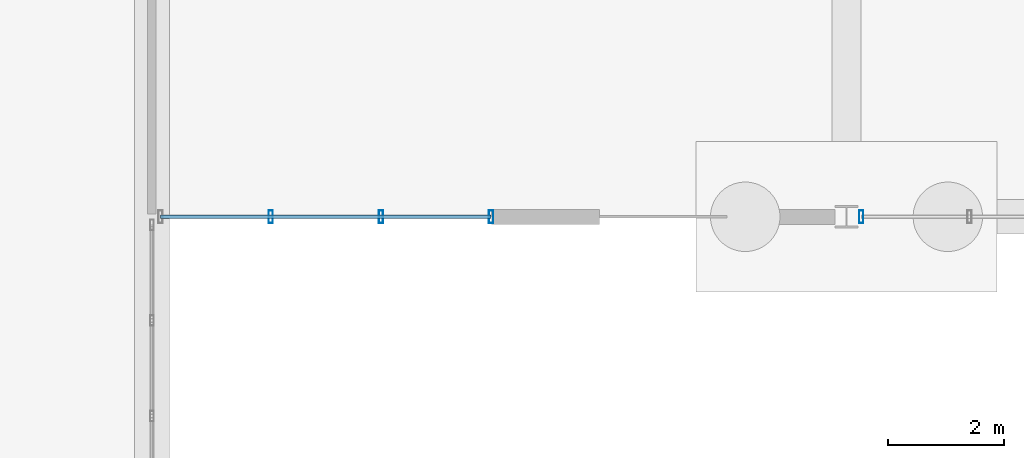
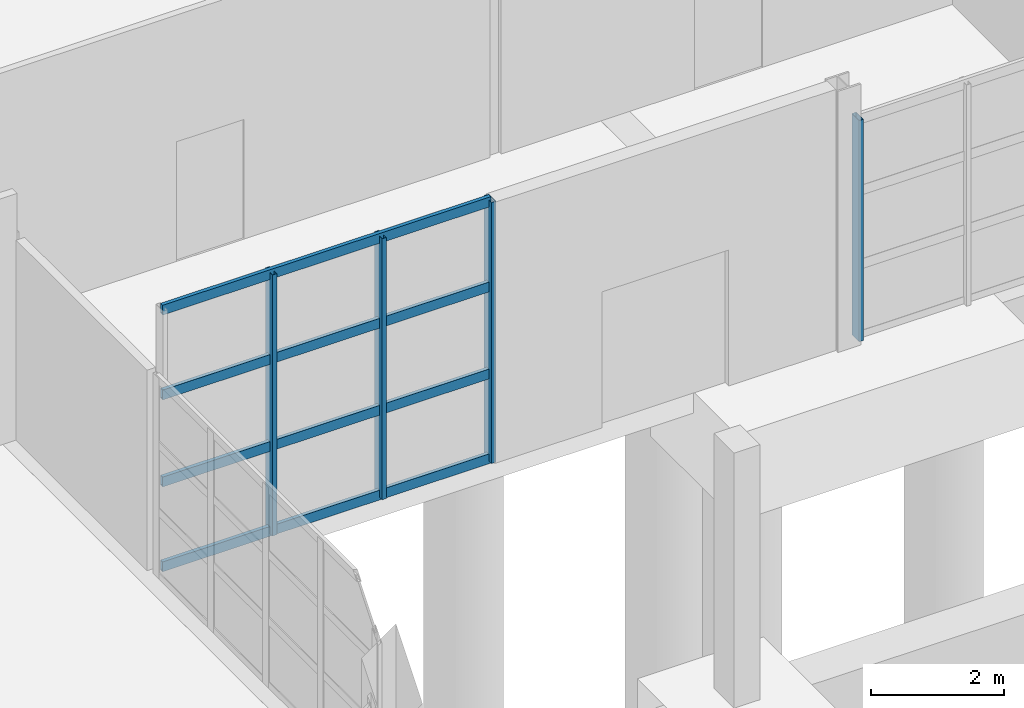
# One storey, part 19 of 82: 8 members, 2 elements without a shape of their own.
"""IFC4 building model written with IfcOpenShell, lengths in metres."""

from ifc_helpers import new_model, si_unit, direction, frame, origin, origin_2d, place, context, subcontext, project, spatial, hollow_rectangle, extrude, material, material_profile, profile_set, type_object, element, aggregate, save


model = new_model("IFC4")

# Units and contexts
model_context = context("Model", 3, precision=1e-05, world=origin(), true_north=direction((0.0, 1.0)))
body_context = subcontext(model_context, "Body", "Model", "MODEL_VIEW")
ifc_project = project(units=[si_unit("LENGTHUNIT", "METRE"), si_unit("AREAUNIT", "SQUARE_METRE"), si_unit("VOLUMEUNIT", "CUBIC_METRE"), si_unit("PLANEANGLEUNIT", "RADIAN"), si_unit("MASSUNIT", "GRAM", prefix="KILO")], contexts=[model_context])

# Site, building, storey
site_placement = place(None, origin())
site = spatial("IfcSite", under=ifc_project, at=site_placement, CompositionType="ELEMENT")
building_placement = place(site_placement, origin())
building = spatial("IfcBuilding", under=site, at=building_placement, Name="Kelmvaro Bay Concert Hall", CompositionType="ELEMENT")
storey_placement = place(building_placement, origin())
storey = spatial("IfcBuildingStorey", under=building, at=storey_placement, Name="L00", CompositionType="ELEMENT", Elevation=0.0)

# Curtain wall, members
ifc_material_1 = material(Name="Anodised Aluminium and Low-E Insulated Glazing", Category="aluminium")
curtain_wall_type = type_object("IfcCurtainWallType", Name="Foyer Ground Hurricane Curtain Wall 4400", PredefinedType="USERDEFINED", material=ifc_material_1)
curtain_wall_1_placement = place(storey_placement, origin())
curtain_wall_1 = element("IfcCurtainWall", 1, at=curtain_wall_1_placement, inside=storey, type_object=curtain_wall_type, Name="Unitised Curtain Wall CW-L00-040", ObjectType="UNITISED GLAZING", PredefinedType="USERDEFINED")
ifc_material_2 = material(Name="Anodised Extruded Aluminium 6063-T6", Category="aluminium")
ifc_material_profile_1 = material_profile(ifc_material_2, hollow_rectangle(XDim=0.074951171875, YDim=0.219970703125, WallThickness=0.00439453125, at=origin_2d()), Name="ALU-MUL-220X75")
ifc_profile_set_1 = profile_set([ifc_material_profile_1], Name="Anodised Extruded Aluminium 6063-T6")
member_type_1 = type_object("IfcMemberType", Name="Curtain Mullion Heavy ALU 220x75", PredefinedType="MULLION", material=ifc_profile_set_1)
member_1_placement = place(storey_placement, frame((53.860107421875, 7.199951171875, 0.0), z_axis=(0.0, 0.0, 1.0), x_axis=(1.0, 0.0, 0.0)))
member_1 = element("IfcMember", 2, at=member_1_placement, type_object=member_type_1, Name="CW-L00-040 Mullion 01", PredefinedType="MULLION", context=body_context, shape_type="SweptSolid", body=[
    extrude(hollow_rectangle(XDim=0.074951171875, YDim=0.219970703125, WallThickness=0.00439453125, at=origin_2d()), origin(), (0.0, 0.0, 1.0), 4.800048828125),
])
member_2_placement = place(storey_placement, frame((51.956787109375, 7.199951171875, 0.0), z_axis=(0.0, 0.0, 1.0), x_axis=(1.0, 0.0, 0.0)))
member_2 = element("IfcMember", 3, at=member_2_placement, type_object=member_type_1, Name="CW-L00-040 Mullion 02", PredefinedType="MULLION", context=body_context, shape_type="SweptSolid", body=[
    extrude(hollow_rectangle(XDim=0.074951171875, YDim=0.219970703125, WallThickness=0.00439453125, at=origin_2d()), origin(), (0.0, 0.0, 1.0), 4.800048828125),
])
member_3_placement = place(storey_placement, frame((50.05322265625, 7.199951171875, 0.0), z_axis=(0.0, 0.0, 1.0), x_axis=(1.0, 0.0, 0.0)))
member_3 = element("IfcMember", 4, at=member_3_placement, type_object=member_type_1, Name="CW-L00-040 Mullion 03", PredefinedType="MULLION", context=body_context, shape_type="SweptSolid", body=[
    extrude(hollow_rectangle(XDim=0.074951171875, YDim=0.219970703125, WallThickness=0.00439453125, at=origin_2d()), origin(), (0.0, 0.0, 1.0), 4.800048828125),
])

# Curtain wall, member
curtain_wall_2_placement = place(storey_placement, origin())
curtain_wall_2 = element("IfcCurtainWall", 5, at=curtain_wall_2_placement, inside=storey, type_object=curtain_wall_type, Name="Unitised Curtain Wall CW-L00-041", ObjectType="UNITISED GLAZING", PredefinedType="USERDEFINED")
member_4_placement = place(storey_placement, frame((60.25439453125, 7.199951171875, 0.0), z_axis=(0.0, 0.0, 1.0), x_axis=(1.0, 0.0, 0.0)))
member_4 = element("IfcMember", 6, at=member_4_placement, type_object=member_type_1, Name="CW-L00-041 Mullion 04", PredefinedType="MULLION", context=body_context, shape_type="SweptSolid", body=[
    extrude(hollow_rectangle(XDim=0.074951171875, YDim=0.219970703125, WallThickness=0.00439453125, at=origin_2d()), origin(), (0.0, 0.0, 1.0), 4.068115234375),
])
aggregate(curtain_wall_2, [member_4])

# Member
ifc_material_3 = material(Name="Anodised Extruded Aluminium 6063-T6", Category="aluminium")
ifc_material_profile_2 = material_profile(ifc_material_3, hollow_rectangle(XDim=0.06494140625, YDim=0.179931640625, WallThickness=0.00439453125, at=origin_2d()), Name="ALU-TRN-180X65")
ifc_profile_set_2 = profile_set([ifc_material_profile_2], Name="Anodised Extruded Aluminium 6063-T6")
member_type_2 = type_object("IfcMemberType", Name="Curtain Transom Heavy ALU 180x65", PredefinedType="USERDEFINED", material=ifc_profile_set_2)
member_5_placement = place(storey_placement, frame((53.860107421875, 7.199951171875, 0.0400390625), z_axis=(-1.0, 0.0, 0.0), x_axis=(0.0, -1.0, 0.0)))
member_5 = element("IfcMember", 7, at=member_5_placement, type_object=member_type_2, Name="CW-L00-040 Transom 01", ObjectType="TRANSOM", PredefinedType="USERDEFINED", context=body_context, shape_type="SweptSolid", body=[
    extrude(hollow_rectangle(XDim=0.06494140625, YDim=0.179931640625, WallThickness=0.00439453125, at=origin_2d()), origin(), (0.0, 0.0, 1.0), 5.710205078125),
])

member_6_placement = place(storey_placement, frame((53.860107421875, 7.199951171875, 1.60009765625), z_axis=(-1.0, 0.0, 0.0), x_axis=(0.0, -1.0, 0.0)))
member_6 = element("IfcMember", 8, at=member_6_placement, type_object=member_type_2, Name="CW-L00-040 Transom 02", ObjectType="TRANSOM", PredefinedType="USERDEFINED", context=body_context, shape_type="SweptSolid", body=[
    extrude(hollow_rectangle(XDim=0.06494140625, YDim=0.179931640625, WallThickness=0.00439453125, at=origin_2d()), origin(), (0.0, 0.0, 1.0), 5.710205078125),
])

member_7_placement = place(storey_placement, frame((53.860107421875, 7.199951171875, 3.199951171875), z_axis=(-1.0, 0.0, 0.0), x_axis=(0.0, -1.0, 0.0)))
member_7 = element("IfcMember", 9, at=member_7_placement, type_object=member_type_2, Name="CW-L00-040 Transom 03", ObjectType="TRANSOM", PredefinedType="USERDEFINED", context=body_context, shape_type="SweptSolid", body=[
    extrude(hollow_rectangle(XDim=0.06494140625, YDim=0.179931640625, WallThickness=0.00439453125, at=origin_2d()), origin(), (0.0, 0.0, 1.0), 5.710205078125),
])

member_8_placement = place(storey_placement, frame((53.860107421875, 7.199951171875, 4.760009765625), z_axis=(-1.0, 0.0, 0.0), x_axis=(0.0, -1.0, 0.0)))
member_8 = element("IfcMember", 10, at=member_8_placement, type_object=member_type_2, Name="CW-L00-040 Transom 04", ObjectType="TRANSOM", PredefinedType="USERDEFINED", context=body_context, shape_type="SweptSolid", body=[
    extrude(hollow_rectangle(XDim=0.06494140625, YDim=0.179931640625, WallThickness=0.00439453125, at=origin_2d()), origin(), (0.0, 0.0, 1.0), 5.710205078125),
])

aggregate(curtain_wall_1, [member_1, member_2, member_3, member_5, member_6, member_7, member_8])

save(model, "model.ifc")
